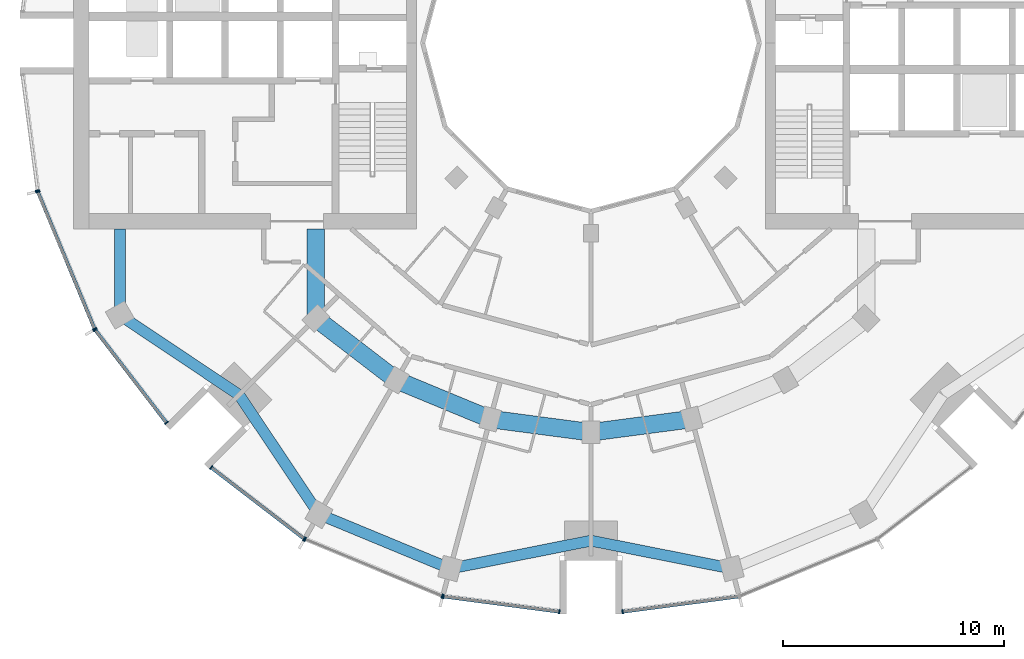
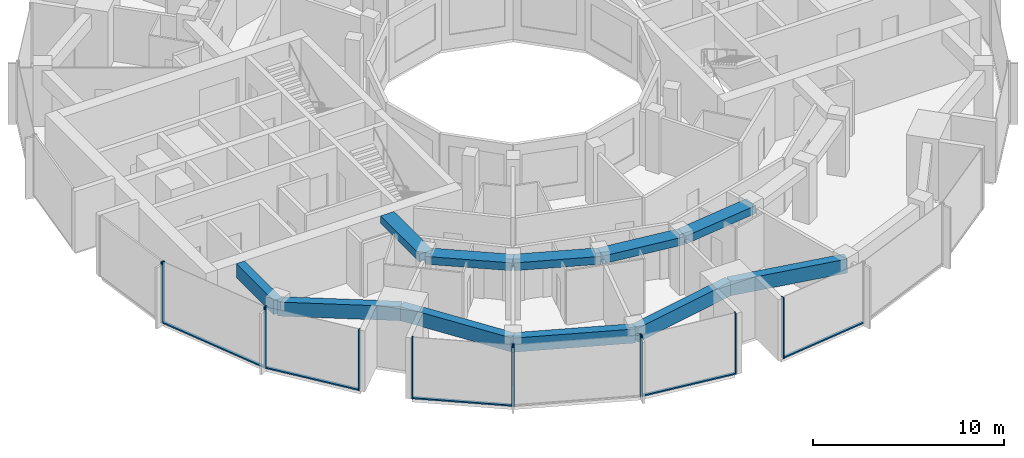
# One storey, part 2 of 15: 17 members, 11 beams, 7 elements without a shape of their own.
"""IFC4 building model written with IfcOpenShell, lengths in metres."""

from ifc_helpers import new_model, si_unit, direction, frame, origin, origin_2d, place, context, subcontext, project, spatial, rectangle, extrude, material, layer, layer_set, material_profile, profile_set, type_object, element, aggregate, save


model = new_model("IFC4")

# Units and contexts
model_context = context("Model", 3, precision=1e-05, world=origin(), true_north=direction((0.0, 1.0)))
body_context = subcontext(model_context, "Body", "Model", "MODEL_VIEW")
ifc_project = project(units=[si_unit("LENGTHUNIT", "METRE"), si_unit("AREAUNIT", "SQUARE_METRE"), si_unit("VOLUMEUNIT", "CUBIC_METRE"), si_unit("PLANEANGLEUNIT", "RADIAN"), si_unit("MASSUNIT", "GRAM", prefix="KILO")], contexts=[model_context])

# Site, building, storey
site_placement = place(None, origin())
site = spatial("IfcSite", under=ifc_project, at=site_placement, CompositionType="ELEMENT")
building_placement = place(site_placement, origin())
building = spatial("IfcBuilding", under=site, at=building_placement, Name="Torre Brocal", CompositionType="ELEMENT")
storey_placement = place(building_placement, frame((0.0, 0.0, 138.0)))
storey = spatial("IfcBuildingStorey", under=building, at=storey_placement, Name="L32", CompositionType="ELEMENT", Elevation=138.0)

# Curtain wall, members
ifc_material_1 = material(Name="Aluminium and glass", Category="aluminium")
ifc_layer_1 = layer(ifc_material_1, 0.199951171875)
ifc_layer_set_1 = layer_set([ifc_layer_1], Name="Aluminium and glass")
curtain_wall_type_1 = type_object("IfcCurtainWallType", Name="CW-1 CURTAIN WALL 3900 HIGH", PredefinedType="NOTDEFINED", material=ifc_layer_set_1)
curtain_wall_1_placement = place(storey_placement, origin())
curtain_wall_1 = element("IfcCurtainWall", 1, at=curtain_wall_1_placement, inside=storey, type_object=curtain_wall_type_1, Name="CW-1 RUN 14", PredefinedType="NOTDEFINED")
ifc_material_2 = material(Name="Aluminium, dark anodised", Category="aluminium")
ifc_material_profile_1 = material_profile(ifc_material_2, rectangle(XDim=0.199951171875, YDim=0.06005859375, at=origin_2d()), Name="CW-1 MULLION 60X200")
ifc_profile_set_1 = profile_set([ifc_material_profile_1], Name="Aluminium, dark anodised")
member_type_1 = type_object("IfcMemberType", Name="CW-1 MULLION 60X200", PredefinedType="MULLION", material=ifc_profile_set_1)
member_1_placement = place(storey_placement, frame((54.994873046875, 68.26904296875, 0.0), z_axis=(0.0, 0.0, 1.0), x_axis=(0.923879532525, 0.382683432333, 0.0)))
member_1 = element("IfcMember", 2, at=member_1_placement, type_object=member_type_1, Name="CW1-3 mullion 1", PredefinedType="MULLION", context=body_context, shape_type="SweptSolid", body=[
    extrude(rectangle(XDim=0.199951171875, YDim=0.06005859375, at=origin_2d()), origin(), (0.0, 0.0, 1.0), 3.89990234375),
])
member_2_placement = place(storey_placement, frame((57.559326171875, 62.078125, 0.0), z_axis=(0.0, 0.0, 1.0), x_axis=(0.923879532525, 0.382683432333, 0.0)))
member_2 = element("IfcMember", 3, at=member_2_placement, type_object=member_type_1, Name="CW1-3 mullion 2", PredefinedType="MULLION", context=body_context, shape_type="SweptSolid", body=[
    extrude(rectangle(XDim=0.199951171875, YDim=0.06005859375, at=origin_2d()), origin(), (0.0, 0.0, 1.0), 3.89990234375),
])

curtain_wall_2_placement = place(storey_placement, origin())
curtain_wall_2 = element("IfcCurtainWall", 4, at=curtain_wall_2_placement, inside=storey, type_object=curtain_wall_type_1, Name="CW-1 RUN 15", PredefinedType="NOTDEFINED")
member_3_placement = place(storey_placement, frame((57.5888671875, 62.026611328125, 0.0), z_axis=(0.0, 0.0, 1.0), x_axis=(0.793353340259, 0.60876142905, 0.0)))
member_3 = element("IfcMember", 5, at=member_3_placement, type_object=member_type_1, Name="CW1-3 mullion 1", PredefinedType="MULLION", context=body_context, shape_type="SweptSolid", body=[
    extrude(rectangle(XDim=0.199951171875, YDim=0.06005859375, at=origin_2d()), origin(), (0.0, 0.0, 1.0), 3.89990234375),
])
member_4_placement = place(storey_placement, frame((60.80859375, 57.83056640625, 0.0), z_axis=(0.0, 0.0, 1.0), x_axis=(0.793353340259, 0.60876142905, 0.0)))
member_4 = element("IfcMember", 6, at=member_4_placement, type_object=member_type_1, Name="CW1-3 mullion 2", PredefinedType="MULLION", context=body_context, shape_type="SweptSolid", body=[
    extrude(rectangle(XDim=0.199951171875, YDim=0.06005859375, at=origin_2d()), origin(), (0.0, 0.0, 1.0), 3.89990234375),
])

curtain_wall_3_placement = place(storey_placement, origin())
curtain_wall_3 = element("IfcCurtainWall", 7, at=curtain_wall_3_placement, inside=storey, type_object=curtain_wall_type_1, Name="CW-1 RUN 16", PredefinedType="NOTDEFINED")
member_5_placement = place(storey_placement, frame((62.83056640625, 55.80859375, 0.0), z_axis=(0.0, 0.0, 1.0), x_axis=(0.60876142905, 0.793353340259, 0.0)))
member_5 = element("IfcMember", 8, at=member_5_placement, type_object=member_type_1, Name="CW1-3 mullion 1", PredefinedType="MULLION", context=body_context, shape_type="SweptSolid", body=[
    extrude(rectangle(XDim=0.199951171875, YDim=0.06005859375, at=origin_2d()), origin(), (0.0, 0.0, 1.0), 3.89990234375),
])
member_6_placement = place(storey_placement, frame((67.026611328125, 52.5888671875, 0.0), z_axis=(0.0, 0.0, 1.0), x_axis=(0.60876142905, 0.793353340259, 0.0)))
member_6 = element("IfcMember", 9, at=member_6_placement, type_object=member_type_1, Name="CW1-3 mullion 2", PredefinedType="MULLION", context=body_context, shape_type="SweptSolid", body=[
    extrude(rectangle(XDim=0.199951171875, YDim=0.06005859375, at=origin_2d()), origin(), (0.0, 0.0, 1.0), 3.89990234375),
])

curtain_wall_4_placement = place(storey_placement, origin())
curtain_wall_4 = element("IfcCurtainWall", 10, at=curtain_wall_4_placement, inside=storey, type_object=curtain_wall_type_1, Name="CW-1 RUN 17", PredefinedType="NOTDEFINED")
member_7_placement = place(storey_placement, frame((67.078125, 52.559326171875, 0.0), z_axis=(0.0, 0.0, 1.0), x_axis=(0.382683432333, 0.923879532525, 0.0)))
member_7 = element("IfcMember", 11, at=member_7_placement, type_object=member_type_1, Name="CW1-3 mullion 1", PredefinedType="MULLION", context=body_context, shape_type="SweptSolid", body=[
    extrude(rectangle(XDim=0.199951171875, YDim=0.06005859375, at=origin_2d()), origin(), (0.0, 0.0, 1.0), 3.89990234375),
])
member_8_placement = place(storey_placement, frame((73.26904296875, 49.994873046875, 0.0), z_axis=(0.0, 0.0, 1.0), x_axis=(0.382683432333, 0.923879532525, 0.0)))
member_8 = element("IfcMember", 12, at=member_8_placement, type_object=member_type_1, Name="CW1-3 mullion 2", PredefinedType="MULLION", context=body_context, shape_type="SweptSolid", body=[
    extrude(rectangle(XDim=0.199951171875, YDim=0.06005859375, at=origin_2d()), origin(), (0.0, 0.0, 1.0), 3.89990234375),
])
aggregate(curtain_wall_4, [member_7, member_8])

curtain_wall_5_placement = place(storey_placement, origin())
curtain_wall_5 = element("IfcCurtainWall", 13, at=curtain_wall_5_placement, inside=storey, type_object=curtain_wall_type_1, Name="CW-1 RUN 18", PredefinedType="NOTDEFINED")
member_9_placement = place(storey_placement, frame((73.32666015625, 49.9794921875, 0.0), z_axis=(0.0, 0.0, 1.0), x_axis=(0.13052619222, 0.991444861374, 0.0)))
member_9 = element("IfcMember", 14, at=member_9_placement, type_object=member_type_1, Name="CW1-3 mullion 1", PredefinedType="MULLION", context=body_context, shape_type="SweptSolid", body=[
    extrude(rectangle(XDim=0.199951171875, YDim=0.06005859375, at=origin_2d()), origin(), (0.0, 0.0, 1.0), 3.89990234375),
])
member_10_placement = place(storey_placement, frame((78.5703125, 49.2890625, 0.0), z_axis=(0.0, 0.0, 1.0), x_axis=(0.13052619222, 0.991444861374, 0.0)))
member_10 = element("IfcMember", 15, at=member_10_placement, type_object=member_type_1, Name="CW1-3 mullion 2", PredefinedType="MULLION", context=body_context, shape_type="SweptSolid", body=[
    extrude(rectangle(XDim=0.199951171875, YDim=0.06005859375, at=origin_2d()), origin(), (0.0, 0.0, 1.0), 3.89990234375),
])

# Curtain wall, member
curtain_wall_6_placement = place(storey_placement, origin())
curtain_wall_6 = element("IfcCurtainWall", 16, at=curtain_wall_6_placement, inside=storey, type_object=curtain_wall_type_1, Name="CW-1 RUN 19", PredefinedType="NOTDEFINED")
member_11_placement = place(storey_placement, frame((81.4296875, 49.2890625, 0.0), z_axis=(0.0, 0.0, 1.0), x_axis=(-0.13052619222, 0.991444861374, 0.0)))
member_11 = element("IfcMember", 17, at=member_11_placement, type_object=member_type_1, Name="CW1-3 mullion 1", PredefinedType="MULLION", context=body_context, shape_type="SweptSolid", body=[
    extrude(rectangle(XDim=0.199951171875, YDim=0.06005859375, at=origin_2d()), origin(), (0.0, 0.0, 1.0), 3.89990234375),
])

# Member
ifc_material_3 = material(Name="Aluminium, dark anodised", Category="aluminium")
ifc_material_profile_2 = material_profile(ifc_material_3, rectangle(XDim=0.159912109375, YDim=0.080078125, at=origin_2d()), Name="CW-1 TRANSOM 160X80")
ifc_profile_set_2 = profile_set([ifc_material_profile_2], Name="Aluminium, dark anodised")
member_type_2 = type_object("IfcMemberType", Name="CW-1 TRANSOM 160X80", PredefinedType="USERDEFINED", material=ifc_profile_set_2)
member_12_placement = place(storey_placement, frame((55.00634765625, 68.241455078125, 0.0400390625), z_axis=(0.38266457234, -0.923887344364, 0.0), x_axis=(0.923887344364, 0.38266457234, 0.0)))
member_12 = element("IfcMember", 18, at=member_12_placement, type_object=member_type_2, Name="CW1-3 transom 1.1", ObjectType="TRANSOM", PredefinedType="USERDEFINED", context=body_context, shape_type="SweptSolid", body=[
    extrude(rectangle(XDim=0.159912109375, YDim=0.080078125, at=origin_2d()), origin(), (0.0, 0.0, 1.0), 6.640869140625),
])

aggregate(curtain_wall_1, [member_1, member_2, member_12])

member_13_placement = place(storey_placement, frame((57.607177734375, 62.0029296875, 0.0400390625), z_axis=(0.60874908096, -0.79336281513, 0.0), x_axis=(0.79336281513, 0.60874908096, 0.0)))
member_13 = element("IfcMember", 19, at=member_13_placement, type_object=member_type_2, Name="CW1-3 transom 1.1", ObjectType="TRANSOM", PredefinedType="USERDEFINED", context=body_context, shape_type="SweptSolid", body=[
    extrude(rectangle(XDim=0.159912109375, YDim=0.080078125, at=origin_2d()), origin(), (0.0, 0.0, 1.0), 5.22900390625),
])

aggregate(curtain_wall_2, [member_3, member_4, member_13])

member_14_placement = place(storey_placement, frame((62.8544921875, 55.790283203125, 0.0400390625), z_axis=(0.79336281513, -0.60874908096, 0.0), x_axis=(0.60874908096, 0.79336281513, 0.0)))
member_14 = element("IfcMember", 20, at=member_14_placement, type_object=member_type_2, Name="CW1-3 transom 1.1", ObjectType="TRANSOM", PredefinedType="USERDEFINED", context=body_context, shape_type="SweptSolid", body=[
    extrude(rectangle(XDim=0.159912109375, YDim=0.080078125, at=origin_2d()), origin(), (0.0, 0.0, 1.0), 5.22900390625),
])

aggregate(curtain_wall_3, [member_5, member_6, member_14])

member_15_placement = place(storey_placement, frame((73.356201171875, 49.9755859375, 0.0400390625), z_axis=(0.991442690863, -0.130542677827, 0.0), x_axis=(0.130542677827, 0.991442690863, 0.0)))
member_15 = element("IfcMember", 21, at=member_15_placement, type_object=member_type_2, Name="CW1-3 transom 1.1", ObjectType="TRANSOM", PredefinedType="USERDEFINED", context=body_context, shape_type="SweptSolid", body=[
    extrude(rectangle(XDim=0.159912109375, YDim=0.080078125, at=origin_2d()), origin(), (0.0, 0.0, 1.0), 5.22900390625),
])

aggregate(curtain_wall_5, [member_9, member_10, member_15])

member_16_placement = place(storey_placement, frame((81.45947265625, 49.29296875, 0.0400390625), z_axis=(0.991442690863, 0.130542677827, 0.0), x_axis=(-0.130542677827, 0.991442690863, 0.0)))
member_16 = element("IfcMember", 22, at=member_16_placement, type_object=member_type_2, Name="CW1-3 transom 1.1", ObjectType="TRANSOM", PredefinedType="USERDEFINED", context=body_context, shape_type="SweptSolid", body=[
    extrude(rectangle(XDim=0.159912109375, YDim=0.080078125, at=origin_2d()), origin(), (0.0, 0.0, 1.0), 5.22900390625),
])

aggregate(curtain_wall_6, [member_11, member_16])

# Curtain wall, member
ifc_material_4 = material(Name="Aluminium and glass", Category="aluminium")
ifc_layer_2 = layer(ifc_material_4, 0.199951171875)
ifc_layer_set_2 = layer_set([ifc_layer_2], Name="Aluminium and glass")
curtain_wall_type_2 = type_object("IfcCurtainWallType", Name="CW-1B CURTAIN WALL 3900 HIGH", PredefinedType="NOTDEFINED", material=ifc_layer_set_2)
curtain_wall_7_placement = place(storey_placement, origin())
curtain_wall_7 = element("IfcCurtainWall", 23, at=curtain_wall_7_placement, inside=storey, type_object=curtain_wall_type_2, Name="CW-1B RUN 13", PredefinedType="NOTDEFINED")
ifc_material_5 = material(Name="Aluminium, dark anodised", Category="aluminium")
ifc_material_profile_3 = material_profile(ifc_material_5, rectangle(XDim=0.199951171875, YDim=0.06005859375, at=origin_2d()), Name="CW-1B MULLION 60X200")
ifc_profile_set_3 = profile_set([ifc_material_profile_3], Name="Aluminium, dark anodised")
member_type_3 = type_object("IfcMemberType", Name="CW-1B MULLION 60X200", PredefinedType="MULLION", material=ifc_profile_set_3)
member_17_placement = place(storey_placement, frame((54.9794921875, 68.32666015625, 0.0), z_axis=(0.0, 0.0, 1.0), x_axis=(0.991444861374, 0.13052619222, 0.0)))
member_17 = element("IfcMember", 24, at=member_17_placement, type_object=member_type_3, Name="CW1B-3 mullion 2", PredefinedType="MULLION", context=body_context, shape_type="SweptSolid", body=[
    extrude(rectangle(XDim=0.199951171875, YDim=0.06005859375, at=origin_2d()), origin(), (0.0, 0.0, 1.0), 3.89990234375),
])
aggregate(curtain_wall_7, [member_17])

# Beams
ifc_material_6 = material(Name="Concrete C50", Category="concrete")
ifc_material_profile_4 = material_profile(ifc_material_6, rectangle(XDim=0.800048828125, YDim=0.5, at=origin_2d()), Name="RC 800X500")
ifc_profile_set_4 = profile_set([ifc_material_profile_4], Name="Concrete C50")
beam_type_1 = type_object("IfcBeamType", Name="RC BEAM 800X500 C50 TOP 3580", PredefinedType="BEAM", material=ifc_profile_set_4)
beam_1_placement = place(storey_placement, frame((67.554931640625, 62.554931640625, 3.330078125), z_axis=(0.0, 1.0, 0.0), x_axis=(-1.0, 0.0, 0.0)))
element("IfcBeam", 25, at=beam_1_placement, inside=storey, type_object=beam_type_1, Name="Beam BT-28", PredefinedType="BEAM", context=body_context, shape_type="SweptSolid", body=[
    extrude(rectangle(XDim=0.800048828125, YDim=0.5, at=origin_2d()), origin(), (0.0, 0.0, 1.0), 4.045166015625),
])
beam_2_placement = place(storey_placement, frame((67.554931640625, 62.554931640625, 3.330078125), z_axis=(0.793358265959, -0.6087550097, 0.0), x_axis=(0.6087550097, 0.793358265959, 0.0)))
element("IfcBeam", 26, at=beam_2_placement, inside=storey, type_object=beam_type_1, Name="Beam BT-28", PredefinedType="BEAM", context=body_context, shape_type="SweptSolid", body=[
    extrude(rectangle(XDim=0.800048828125, YDim=0.5, at=origin_2d()), origin(), (0.0, 0.0, 1.0), 4.594482421875),
])
beam_3_placement = place(storey_placement, frame((71.199951171875, 59.758056640625, 3.330078125), z_axis=(0.923878240166, -0.382686552348, 0.0), x_axis=(0.382686552348, 0.923878240166, 0.0)))
element("IfcBeam", 27, at=beam_3_placement, inside=storey, type_object=beam_type_1, Name="Beam BT-28", PredefinedType="BEAM", context=body_context, shape_type="SweptSolid", body=[
    extrude(rectangle(XDim=0.800048828125, YDim=0.5, at=origin_2d()), origin(), (0.0, 0.0, 1.0), 4.5947265625),
])
for number, where, z_axis, x_axis, name in (
    (28, (75.44482421875, 57.999755859375, 3.330078125), (0.991440544449, -0.130558978332, 0.0), (0.130558978332, 0.991440544449, 0.0), "Beam BT-28"),
    (29, (80.0, 57.39990234375, 3.330078125), (0.991440544449, 0.130558978332, 0.0), (-0.130558978332, 0.991440544449, 0.0), "Beam BT-28"),
):
    element("IfcBeam", number, at=place(storey_placement, frame(where, z_axis=z_axis, x_axis=x_axis)), inside=storey, type_object=beam_type_1, Name=name, PredefinedType="BEAM", context=body_context, shape_type="SweptSolid", body=[
        extrude(rectangle(XDim=0.800048828125, YDim=0.5, at=origin_2d()), origin(), (0.0, 0.0, 1.0), 4.594482421875),
    ])
ifc_material_7 = material(Name="Concrete C50", Category="concrete")
ifc_material_profile_5 = material_profile(ifc_material_7, rectangle(XDim=0.5, YDim=0.89990234375, at=origin_2d()), Name="RC 500X900")
ifc_profile_set_5 = profile_set([ifc_material_profile_5], Name="Concrete C50")
beam_type_2 = type_object("IfcBeamType", Name="RC SPANDREL BEAM 500X900 C50 TOP 3580", PredefinedType="SPANDREL", material=ifc_profile_set_5)
beam_4_placement = place(storey_placement, frame((58.69580078125, 62.699951171875, 3.1298828125), z_axis=(0.0, 1.0, 0.0), x_axis=(-1.0, 0.0, 0.0)))
element("IfcBeam", 30, at=beam_4_placement, inside=storey, type_object=beam_type_2, Name="Beam BT-29", PredefinedType="SPANDREL", context=body_context, shape_type="SweptSolid", body=[
    extrude(rectangle(XDim=0.5, YDim=0.89990234375, at=origin_2d()), origin(), (0.0, 0.0, 1.0), 3.900146484375),
])
for number, where, z_axis, x_axis, name in (
    (31, (58.69580078125, 62.699951171875, 3.1298828125), (0.831076844476, -0.556157602282, 0.0), (0.556157602282, 0.831076844476, 0.0), "Beam BT-29"),
    (32, (64.090087890625, 59.090087890625, 3.1298828125), (0.556157602282, -0.831076844476, 0.0), (0.831076844476, 0.556157602282, 0.0), "Beam BT-29"),
):
    element("IfcBeam", number, at=place(storey_placement, frame(where, z_axis=z_axis, x_axis=x_axis)), inside=storey, type_object=beam_type_2, Name=name, PredefinedType="SPANDREL", context=body_context, shape_type="SweptSolid", body=[
        extrude(rectangle(XDim=0.5, YDim=0.89990234375, at=origin_2d()), origin(), (0.0, 0.0, 1.0), 6.49072265625),
    ])
beam_5_placement = place(storey_placement, frame((67.699951171875, 53.69580078125, 3.1298828125), z_axis=(0.923882462513, -0.382676358639, 0.0), x_axis=(0.382676358639, 0.923882462513, 0.0)))
element("IfcBeam", 33, at=beam_5_placement, inside=storey, type_object=beam_type_2, Name="Beam BT-29", PredefinedType="SPANDREL", context=body_context, shape_type="SweptSolid", body=[
    extrude(rectangle(XDim=0.5, YDim=0.89990234375, at=origin_2d()), origin(), (0.0, 0.0, 1.0), 6.421875),
])
for number, where, z_axis, x_axis, name in (
    (34, (73.633056640625, 51.23828125, 3.1298828125), (0.980924907484, 0.194387051723, 0.0), (-0.194387051723, 0.980924907484, 0.0), "Beam BT-29"),
    (35, (80.0, 52.5, 3.1298828125), (0.980924907484, -0.194387051723, 0.0), (0.194387051723, 0.980924907484, 0.0), "Beam BT-29"),
):
    element("IfcBeam", number, at=place(storey_placement, frame(where, z_axis=z_axis, x_axis=x_axis)), inside=storey, type_object=beam_type_2, Name=name, PredefinedType="SPANDREL", context=body_context, shape_type="SweptSolid", body=[
        extrude(rectangle(XDim=0.5, YDim=0.89990234375, at=origin_2d()), origin(), (0.0, 0.0, 1.0), 6.49072265625),
    ])

save(model, "model.ifc")
